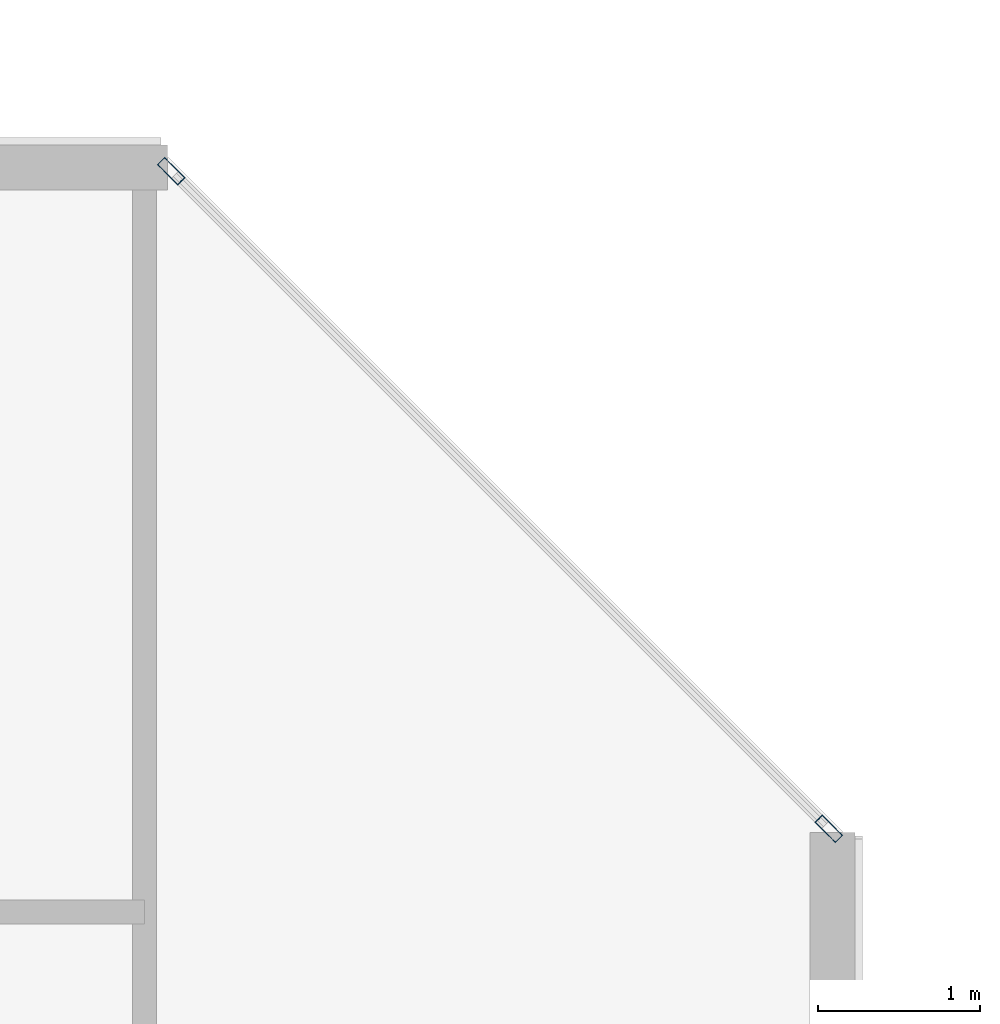
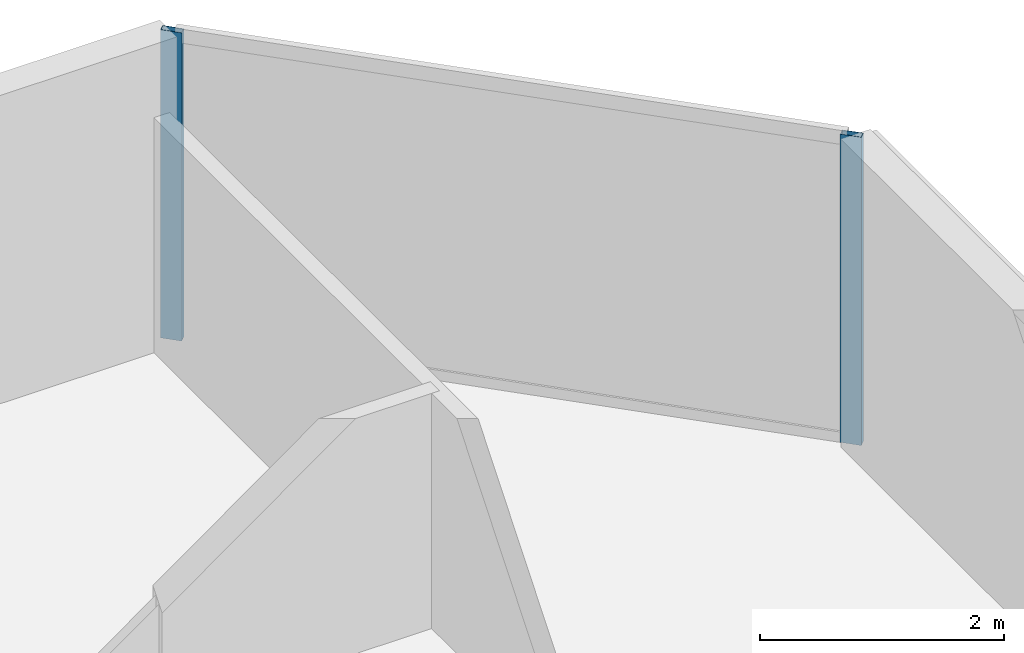
# One storey, part 15 of 33: 2 members, 1 element without a shape of its own.
"""IFC4 building model written with IfcOpenShell, lengths in metres."""

from ifc_helpers import new_model, si_unit, direction, frame, origin, origin_2d, place, context, subcontext, project, spatial, hollow_rectangle, extrude, material, layer, layer_set, material_profile, profile_set, type_object, element, aggregate, save


model = new_model("IFC4")

# Units and contexts
model_context = context("Model", 3, precision=1e-05, world=origin(), true_north=direction((0.0, 1.0)))
body_context = subcontext(model_context, "Body", "Model", "MODEL_VIEW")
ifc_project = project(units=[si_unit("LENGTHUNIT", "METRE"), si_unit("AREAUNIT", "SQUARE_METRE"), si_unit("VOLUMEUNIT", "CUBIC_METRE"), si_unit("PLANEANGLEUNIT", "RADIAN"), si_unit("MASSUNIT", "GRAM", prefix="KILO")], contexts=[model_context])

# Site, building, storey
site_placement = place(None, origin())
site = spatial("IfcSite", under=ifc_project, at=site_placement, CompositionType="ELEMENT")
building_placement = place(site_placement, origin())
building = spatial("IfcBuilding", under=site, at=building_placement, Name="Tanjung Sevakor Pilgrim Tower", CompositionType="ELEMENT")
storey_placement = place(building_placement, frame((0.0, 0.0, 32.340087890625)))
storey = spatial("IfcBuildingStorey", under=building, at=storey_placement, Name="L08", CompositionType="ELEMENT", Elevation=32.340087890625)

# Curtain wall, members
ifc_material_1 = material(Name="Aluminium 6063-T6 and Low-E Glass", Category="aluminium")
ifc_layer = layer(ifc_material_1, 0.179931640625)
ifc_layer_set = layer_set([ifc_layer], Name="CW-SYS-CHAM")
curtain_wall_type = type_object("IfcCurtainWallType", Name="CW-SYS-CHAM", PredefinedType="NOTDEFINED", material=ifc_layer_set)
curtain_wall_placement = place(storey_placement, origin())
curtain_wall = element("IfcCurtainWall", 1, at=curtain_wall_placement, inside=storey, type_object=curtain_wall_type, Name="L08 Curtain Wall CW-CHM-L08-MAIN-7", PredefinedType="NOTDEFINED")
ifc_material_2 = material(Name="Aluminium 6063-T6", Category="aluminium")
ifc_material_profile = material_profile(ifc_material_2, hollow_rectangle(XDim=0.06494140625, YDim=0.179931640625, WallThickness=0.00390625, at=origin_2d()))
ifc_profile_set = profile_set([ifc_material_profile], Name="Aluminium 6063-T6")
member_type = type_object("IfcMemberType", Name="TYPE-CWM-1", PredefinedType="MULLION", material=ifc_profile_set)
member_1_placement = place(storey_placement, frame((100.636962890625, 55.364990234375, 0.0), z_axis=(0.0, 0.0, 1.0), x_axis=(-0.707106781187, -0.707106781187, 0.0)))
member_1 = element("IfcMember", 2, at=member_1_placement, type_object=member_type, Name="CW-CHM mullion 1", PredefinedType="MULLION", context=body_context, shape_type="SweptSolid", body=[
    extrude(hollow_rectangle(XDim=0.06494140625, YDim=0.179931640625, WallThickness=0.00390625, at=origin_2d()), origin(), (0.0, 0.0, 1.0), 3.079833984375),
])
member_2_placement = place(storey_placement, frame((96.56494140625, 59.43701171875, 0.0), z_axis=(0.0, 0.0, 1.0), x_axis=(-0.707106781187, -0.707106781187, 0.0)))
member_2 = element("IfcMember", 3, at=member_2_placement, type_object=member_type, Name="CW-CHM mullion 2", PredefinedType="MULLION", context=body_context, shape_type="SweptSolid", body=[
    extrude(hollow_rectangle(XDim=0.06494140625, YDim=0.179931640625, WallThickness=0.00390625, at=origin_2d()), origin(), (0.0, 0.0, 1.0), 3.079833984375),
])
aggregate(curtain_wall, [member_1, member_2])

save(model, "model.ifc")
